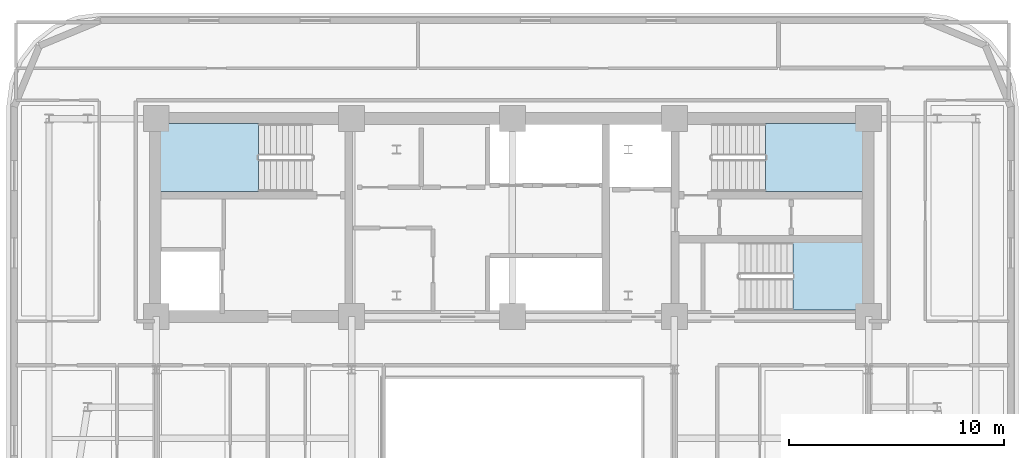
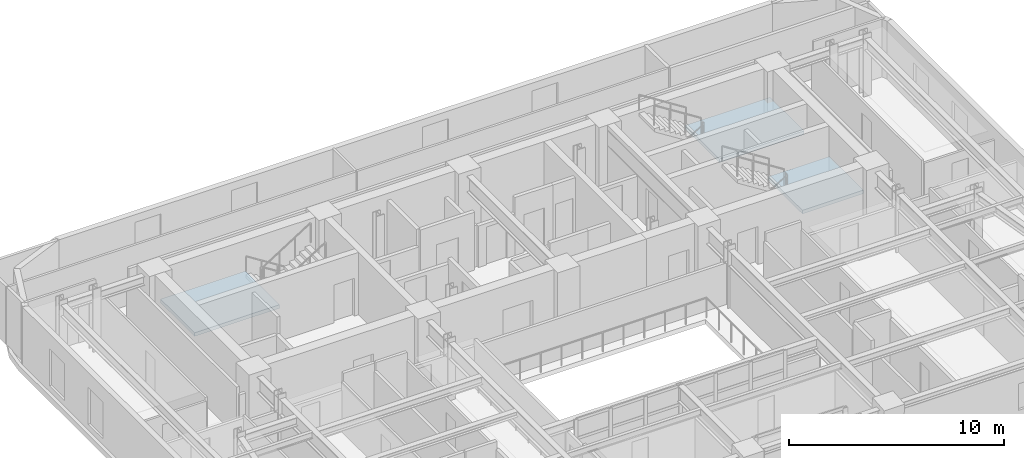
# One storey, part 4 of 13: 3 slabs, 3 elements without a shape of their own.
"""IFC4 building model written with IfcOpenShell, lengths in metres."""

from ifc_helpers import new_model, si_unit, direction, frame, origin, place, context, subcontext, project, spatial, polyline, outline, extrude, material, layer, layer_set, type_object, element, aggregate, save


model = new_model("IFC4")

# Units and contexts
model_context = context("Model", 3, precision=1e-05, world=origin(), true_north=direction((0.0, 1.0)))
body_context = subcontext(model_context, "Body", "Model", "MODEL_VIEW")
ifc_project = project(units=[si_unit("LENGTHUNIT", "METRE"), si_unit("AREAUNIT", "SQUARE_METRE"), si_unit("VOLUMEUNIT", "CUBIC_METRE"), si_unit("PLANEANGLEUNIT", "RADIAN"), si_unit("MASSUNIT", "GRAM", prefix="KILO")], contexts=[model_context])

# Site, building, storey
site_placement = place(None, origin())
site = spatial("IfcSite", under=ifc_project, at=site_placement, CompositionType="ELEMENT")
building_placement = place(site_placement, origin())
building = spatial("IfcBuilding", under=site, at=building_placement, Name="Zarnavel Station Tower", CompositionType="ELEMENT")
storey_placement = place(building_placement, frame((0.0, 0.0, 169.64990234375)))
storey = spatial("IfcBuildingStorey", under=building, at=storey_placement, Name="L46", CompositionType="ELEMENT", Elevation=169.64990234375)

# Stair, slab
ifc_material_1 = material(Name="Concrete C45/55", Category="concrete")
stair_type = type_object("IfcStairType", Name="ST_CORE_150", PredefinedType="HALF_TURN_STAIR", material=ifc_material_1)
stair_1_placement = place(storey_placement, origin())
stair_1 = element("IfcStair", 1, at=stair_1_placement, inside=storey, type_object=stair_type, Name="L46 Core Exit Stair ST1", PredefinedType="HALF_TURN_STAIR")
ifc_material_2 = material(Name="Concrete C45/55", Category="concrete")
ifc_layer = layer(ifc_material_2, 0.199951171875)
ifc_layer_set = layer_set([ifc_layer], Name="SL_STAIR_LAND_200")
slab_type = type_object("IfcSlabType", Name="SL_STAIR_LAND_200", PredefinedType="LANDING", material=ifc_layer_set)
slab_1_placement = place(storey_placement, frame((0.0, 0.0, 1.5751953125)))
slab_1 = element("IfcSlab", 2, at=slab_1_placement, type_object=slab_type, Name="ST1 landing 1", PredefinedType="LANDING", context=body_context, shape_type="SweptSolid", body=[
    extrude(outline(polyline([(16.9599609375, 36.820068359375), (12.39990234375, 36.820068359375), (12.39990234375, 33.659912109375), (16.9599609375, 33.659912109375), (16.9599609375, 36.820068359375)])), origin(), (0.0, 0.0, 1.0), 0.199951171875),
])
aggregate(stair_1, [slab_1])

stair_2_placement = place(storey_placement, origin())
stair_2 = element("IfcStair", 3, at=stair_2_placement, inside=storey, type_object=stair_type, Name="L46 Core Exit Stair ST2", PredefinedType="HALF_TURN_STAIR")
slab_2_placement = place(storey_placement, frame((0.0, 0.0, 1.5751953125)))
slab_2 = element("IfcSlab", 4, at=slab_2_placement, type_object=slab_type, Name="ST2 landing 1", PredefinedType="LANDING", context=body_context, shape_type="SweptSolid", body=[
    extrude(outline(polyline([(40.60009765625, 33.659912109375), (45.159912109375, 33.659912109375), (45.159912109375, 36.820068359375), (40.60009765625, 36.820068359375), (40.60009765625, 33.659912109375)])), origin(), (0.0, 0.0, 1.0), 0.199951171875),
])
aggregate(stair_2, [slab_2])

stair_3_placement = place(storey_placement, origin())
stair_3 = element("IfcStair", 5, at=stair_3_placement, inside=storey, type_object=stair_type, Name="L46 Core Exit Stair ST3", PredefinedType="HALF_TURN_STAIR")
slab_3_placement = place(storey_placement, frame((0.0, 0.0, 1.5751953125)))
slab_3 = element("IfcSlab", 6, at=slab_3_placement, type_object=slab_type, Name="ST3 landing 1", PredefinedType="LANDING", context=body_context, shape_type="SweptSolid", body=[
    extrude(outline(polyline([(41.8701171875, 28.1201171875), (45.14990234375, 28.1201171875), (45.14990234375, 31.280029296875), (41.8701171875, 31.280029296875), (41.8701171875, 28.1201171875)])), origin(), (0.0, 0.0, 1.0), 0.199951171875),
])
aggregate(stair_3, [slab_3])

save(model, "model.ifc")
